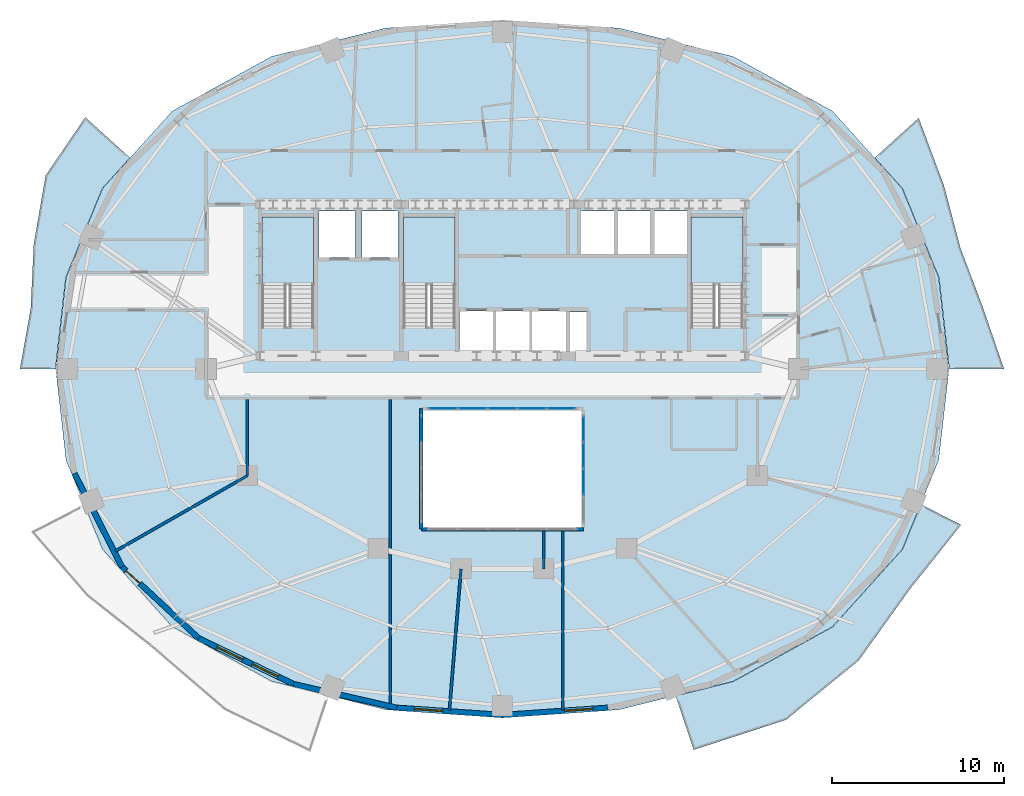
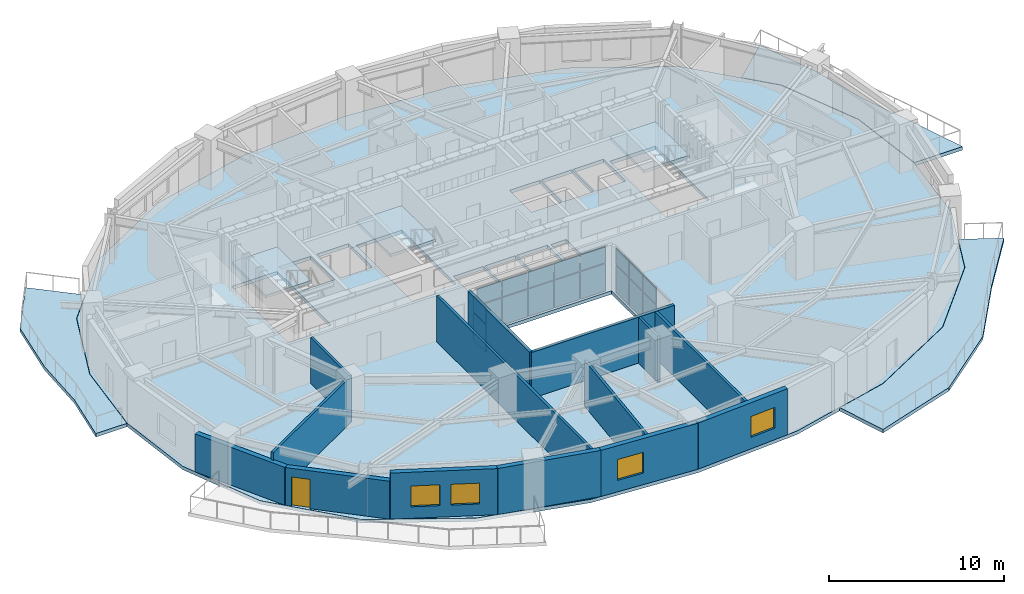
# One storey, part 5 of 13: 18 plates, 14 walls, 7 slabs, 4 windows, 1 door, 5 openings, 6 elements without a shape of their own.
"""IFC4 building model written with IfcOpenShell, lengths in metres."""

from ifc_helpers import new_model, si_unit, direction, frame, frame_2d, origin, origin_2d, place, context, subcontext, project, spatial, polyline, rectangle, outline, extrude, material, layer, layer_set, type_object, element, fill, aggregate, save


model = new_model("IFC4")

# Units and contexts
model_context = context("Model", 3, precision=1e-05, world=origin(), true_north=direction((0.0, 1.0)))
body_context = subcontext(model_context, "Body", "Model", "MODEL_VIEW")
ifc_project = project(units=[si_unit("LENGTHUNIT", "METRE"), si_unit("AREAUNIT", "SQUARE_METRE"), si_unit("VOLUMEUNIT", "CUBIC_METRE"), si_unit("PLANEANGLEUNIT", "RADIAN"), si_unit("MASSUNIT", "GRAM", prefix="KILO")], contexts=[model_context])

# Site, building, storey
site_placement = place(None, origin())
site = spatial("IfcSite", under=ifc_project, at=site_placement, CompositionType="ELEMENT")
building_placement = place(site_placement, origin())
building = spatial("IfcBuilding", under=site, at=building_placement, Name="Haldorwick Loom Tower", CompositionType="ELEMENT")
storey_placement = place(building_placement, frame((0.0, 0.0, 139.10009765625)))
storey = spatial("IfcBuildingStorey", under=building, at=storey_placement, Name="L37", CompositionType="ELEMENT", Elevation=139.10009765625)

# Curtain wall, plates
ifc_material_1 = material(Name="Thermally Broken Anodized Aluminium Curtain Wall Framing", Category="aluminium")
curtain_wall_type = type_object("IfcCurtainWallType", Name="ARC-CW-03", PredefinedType="NOTDEFINED", material=ifc_material_1)
curtain_wall_1_placement = place(storey_placement, origin())
curtain_wall_1 = element("IfcCurtainWall", 1, at=curtain_wall_1_placement, inside=storey, type_object=curtain_wall_type, Name="L37 Atrium Glazed Screen N", PredefinedType="NOTDEFINED")
ifc_material_2 = material(Name="Triple-Glazed Low-E Argon Insulated Glazing Unit", Category="glass")
ifc_layer_1 = layer(ifc_material_2, 0.04296875, Name="Triple-Glazed Low-E Argon Insulated Glazing Unit", Category="glass")
ifc_layer_set_1 = layer_set([ifc_layer_1], Name="Triple-Glazed Low-E Argon Insulated Glazing Unit")
plate_type = type_object("IfcPlateType", Name="ARC-CWP-03", PredefinedType="CURTAIN_PANEL", material=ifc_layer_set_1)
plate_1_placement = place(storey_placement, frame((32.576416015625, 23.699951171875, 0.06591796875), z_axis=(0.0, 0.0, 1.0), x_axis=(1.0, 0.0, 0.0)))
plate_1 = element("IfcPlate", 2, at=plate_1_placement, type_object=plate_type, Name="CW-03 panel 1.1", PredefinedType="CURTAIN_PANEL", context=body_context, shape_type="SweptSolid", body=[
    extrude(rectangle(XDim=1.62109375, YDim=0.04296875, at=origin_2d()), origin(), (0.0, 0.0, 1.0), 1.90087890625),
])
plate_2_placement = place(storey_placement, frame((32.576416015625, 23.699951171875, 2.03271484375), z_axis=(0.0, 0.0, 1.0), x_axis=(1.0, 0.0, 0.0)))
plate_2 = element("IfcPlate", 3, at=plate_2_placement, type_object=plate_type, Name="CW-03 panel 1.2", PredefinedType="CURTAIN_PANEL", context=body_context, shape_type="SweptSolid", body=[
    extrude(rectangle(XDim=1.62109375, YDim=0.04296875, at=origin_2d()), origin(), (0.0, 0.0, 1.0), 1.111083984375),
])
plate_3_placement = place(storey_placement, frame((34.280029296875, 23.699951171875, 0.06591796875), z_axis=(0.0, 0.0, 1.0), x_axis=(1.0, 0.0, 0.0)))
plate_3 = element("IfcPlate", 4, at=plate_3_placement, type_object=plate_type, Name="CW-03 panel 2.1", PredefinedType="CURTAIN_PANEL", context=body_context, shape_type="SweptSolid", body=[
    extrude(rectangle(XDim=1.654052734375, YDim=0.04296875, at=origin_2d()), origin(), (0.0, 0.0, 1.0), 1.90087890625),
])
plate_4_placement = place(storey_placement, frame((34.280029296875, 23.699951171875, 2.03271484375), z_axis=(0.0, 0.0, 1.0), x_axis=(1.0, 0.0, 0.0)))
plate_4 = element("IfcPlate", 5, at=plate_4_placement, type_object=plate_type, Name="CW-03 panel 2.2", PredefinedType="CURTAIN_PANEL", context=body_context, shape_type="SweptSolid", body=[
    extrude(rectangle(XDim=1.654052734375, YDim=0.04296875, at=origin_2d()), origin(), (0.0, 0.0, 1.0), 1.111083984375),
])
plate_5_placement = place(storey_placement, frame((36.0, 23.699951171875, 0.06591796875), z_axis=(0.0, 0.0, 1.0), x_axis=(1.0, 0.0, 0.0)))
plate_5 = element("IfcPlate", 6, at=plate_5_placement, type_object=plate_type, Name="CW-03 panel 3.1", PredefinedType="CURTAIN_PANEL", context=body_context, shape_type="SweptSolid", body=[
    extrude(rectangle(XDim=1.654052734375, YDim=0.04296875, at=origin_2d()), origin(), (0.0, 0.0, 1.0), 1.90087890625),
])
plate_6_placement = place(storey_placement, frame((36.0, 23.699951171875, 2.03271484375), z_axis=(0.0, 0.0, 1.0), x_axis=(1.0, 0.0, 0.0)))
plate_6 = element("IfcPlate", 7, at=plate_6_placement, type_object=plate_type, Name="CW-03 panel 3.2", PredefinedType="CURTAIN_PANEL", context=body_context, shape_type="SweptSolid", body=[
    extrude(rectangle(XDim=1.654052734375, YDim=0.04296875, at=origin_2d()), origin(), (0.0, 0.0, 1.0), 1.111083984375),
])
plate_7_placement = place(storey_placement, frame((37.719970703125, 23.699951171875, 0.06591796875), z_axis=(0.0, 0.0, 1.0), x_axis=(1.0, 0.0, 0.0)))
plate_7 = element("IfcPlate", 8, at=plate_7_placement, type_object=plate_type, Name="CW-03 panel 4.1", PredefinedType="CURTAIN_PANEL", context=body_context, shape_type="SweptSolid", body=[
    extrude(rectangle(XDim=1.654052734375, YDim=0.04296875, at=origin_2d()), origin(), (0.0, 0.0, 1.0), 1.90087890625),
])
plate_8_placement = place(storey_placement, frame((37.719970703125, 23.699951171875, 2.03271484375), z_axis=(0.0, 0.0, 1.0), x_axis=(1.0, 0.0, 0.0)))
plate_8 = element("IfcPlate", 9, at=plate_8_placement, type_object=plate_type, Name="CW-03 panel 4.2", PredefinedType="CURTAIN_PANEL", context=body_context, shape_type="SweptSolid", body=[
    extrude(rectangle(XDim=1.654052734375, YDim=0.04296875, at=origin_2d()), origin(), (0.0, 0.0, 1.0), 1.111083984375),
])
plate_9_placement = place(storey_placement, frame((39.423583984375, 23.699951171875, 0.06591796875), z_axis=(0.0, 0.0, 1.0), x_axis=(1.0, 0.0, 0.0)))
plate_9 = element("IfcPlate", 10, at=plate_9_placement, type_object=plate_type, Name="CW-03 panel 5.1", PredefinedType="CURTAIN_PANEL", context=body_context, shape_type="SweptSolid", body=[
    extrude(rectangle(XDim=1.62109375, YDim=0.04296875, at=origin_2d()), origin(), (0.0, 0.0, 1.0), 1.90087890625),
])
plate_10_placement = place(storey_placement, frame((39.423583984375, 23.699951171875, 2.03271484375), z_axis=(0.0, 0.0, 1.0), x_axis=(1.0, 0.0, 0.0)))
plate_10 = element("IfcPlate", 11, at=plate_10_placement, type_object=plate_type, Name="CW-03 panel 5.2", PredefinedType="CURTAIN_PANEL", context=body_context, shape_type="SweptSolid", body=[
    extrude(rectangle(XDim=1.62109375, YDim=0.04296875, at=origin_2d()), origin(), (0.0, 0.0, 1.0), 1.111083984375),
])
aggregate(curtain_wall_1, [plate_1, plate_2, plate_3, plate_4, plate_5, plate_6, plate_7, plate_8, plate_9, plate_10])

curtain_wall_2_placement = place(storey_placement, origin())
curtain_wall_2 = element("IfcCurtainWall", 12, at=curtain_wall_2_placement, inside=storey, type_object=curtain_wall_type, Name="L37 Atrium Glazed Screen W", PredefinedType="NOTDEFINED")
plate_11_placement = place(storey_placement, frame((31.300048828125, 22.508544921875, 0.06591796875), z_axis=(0.0, 0.0, 1.0), x_axis=(0.0, 1.0, 0.0)))
plate_11 = element("IfcPlate", 13, at=plate_11_placement, type_object=plate_type, Name="CW-03 panel 4.1", PredefinedType="CURTAIN_PANEL", context=body_context, shape_type="SweptSolid", body=[
    extrude(rectangle(XDim=1.450927734375, YDim=0.04296875, at=origin_2d()), origin(), (0.0, 0.0, 1.0), 1.90087890625),
])
plate_12_placement = place(storey_placement, frame((31.300048828125, 22.508544921875, 2.03271484375), z_axis=(0.0, 0.0, 1.0), x_axis=(0.0, 1.0, 0.0)))
plate_12 = element("IfcPlate", 14, at=plate_12_placement, type_object=plate_type, Name="CW-03 panel 4.2", PredefinedType="CURTAIN_PANEL", context=body_context, shape_type="SweptSolid", body=[
    extrude(rectangle(XDim=1.450927734375, YDim=0.04296875, at=origin_2d()), origin(), (0.0, 0.0, 1.0), 1.111083984375),
])
aggregate(curtain_wall_2, [plate_11, plate_12])

curtain_wall_3_placement = place(storey_placement, origin())
curtain_wall_3 = element("IfcCurtainWall", 15, at=curtain_wall_3_placement, inside=storey, type_object=curtain_wall_type, Name="L37 Atrium Glazed Screen E", PredefinedType="NOTDEFINED")
plate_13_placement = place(storey_placement, frame((40.699951171875, 22.508544921875, 0.06591796875), z_axis=(0.0, 0.0, 1.0), x_axis=(0.0, -1.0, 0.0)))
plate_13 = element("IfcPlate", 16, at=plate_13_placement, type_object=plate_type, Name="CW-03 panel 1.1", PredefinedType="CURTAIN_PANEL", context=body_context, shape_type="SweptSolid", body=[
    extrude(rectangle(XDim=1.450927734375, YDim=0.04296875, at=origin_2d()), origin(), (0.0, 0.0, 1.0), 1.90087890625),
])
plate_14_placement = place(storey_placement, frame((40.699951171875, 22.508544921875, 2.03271484375), z_axis=(0.0, 0.0, 1.0), x_axis=(0.0, -1.0, 0.0)))
plate_14 = element("IfcPlate", 17, at=plate_14_placement, type_object=plate_type, Name="CW-03 panel 1.2", PredefinedType="CURTAIN_PANEL", context=body_context, shape_type="SweptSolid", body=[
    extrude(rectangle(XDim=1.450927734375, YDim=0.04296875, at=origin_2d()), origin(), (0.0, 0.0, 1.0), 1.111083984375),
])
plate_15_placement = place(storey_placement, frame((40.699951171875, 20.97509765625, 0.06591796875), z_axis=(0.0, 0.0, 1.0), x_axis=(0.0, -1.0, 0.0)))
plate_15 = element("IfcPlate", 18, at=plate_15_placement, type_object=plate_type, Name="CW-03 panel 2.1", PredefinedType="CURTAIN_PANEL", context=body_context, shape_type="SweptSolid", body=[
    extrude(rectangle(XDim=1.48388671875, YDim=0.04296875, at=origin_2d()), origin(), (0.0, 0.0, 1.0), 1.90087890625),
])
plate_16_placement = place(storey_placement, frame((40.699951171875, 20.97509765625, 2.03271484375), z_axis=(0.0, 0.0, 1.0), x_axis=(0.0, -1.0, 0.0)))
plate_16 = element("IfcPlate", 19, at=plate_16_placement, type_object=plate_type, Name="CW-03 panel 2.2", PredefinedType="CURTAIN_PANEL", context=body_context, shape_type="SweptSolid", body=[
    extrude(rectangle(XDim=1.48388671875, YDim=0.04296875, at=origin_2d()), origin(), (0.0, 0.0, 1.0), 1.111083984375),
])
plate_17_placement = place(storey_placement, frame((40.699951171875, 19.425048828125, 0.06591796875), z_axis=(0.0, 0.0, 1.0), x_axis=(0.0, -1.0, 0.0)))
plate_17 = element("IfcPlate", 20, at=plate_17_placement, type_object=plate_type, Name="CW-03 panel 3.1", PredefinedType="CURTAIN_PANEL", context=body_context, shape_type="SweptSolid", body=[
    extrude(rectangle(XDim=1.48388671875, YDim=0.04296875, at=origin_2d()), origin(), (0.0, 0.0, 1.0), 1.90087890625),
])
plate_18_placement = place(storey_placement, frame((40.699951171875, 19.425048828125, 2.03271484375), z_axis=(0.0, 0.0, 1.0), x_axis=(0.0, -1.0, 0.0)))
plate_18 = element("IfcPlate", 21, at=plate_18_placement, type_object=plate_type, Name="CW-03 panel 3.2", PredefinedType="CURTAIN_PANEL", context=body_context, shape_type="SweptSolid", body=[
    extrude(rectangle(XDim=1.48388671875, YDim=0.04296875, at=origin_2d()), origin(), (0.0, 0.0, 1.0), 1.111083984375),
])
aggregate(curtain_wall_3, [plate_13, plate_14, plate_15, plate_16, plate_17, plate_18])

# Slabs
ifc_material_3 = material(Name="Concrete C40 (40 MPa)", Category="concrete")
ifc_layer_2 = layer(ifc_material_3, 0.239990234375, Name="Concrete C40 (40 MPa)", Category="concrete")
ifc_layer_set_2 = layer_set([ifc_layer_2], Name="Concrete C40 (40 MPa)")
slab_type_1 = type_object("IfcSlabType", Name="STR-SLB-BAL240", PredefinedType="FLOOR", material=ifc_layer_set_2)
slab_1_placement = place(storey_placement, frame((0.0, 0.0, -0.239990234375)))
element("IfcSlab", 22, at=slab_1_placement, inside=storey, type_object=slab_type_1, Name="L37 Sinusoidal Balcony Terrace BAL_SE", PredefinedType="FLOOR", context=body_context, shape_type="SweptSolid", body=[
    extrude(outline(polyline([(60.284423828125, 18.14208984375), (59.216064453125, 15.530517578125), (59.21533203125, 15.529296875), (59.21484375, 15.528076171875), (59.214111328125, 15.527099609375), (59.213134765625, 15.526123046875), (55.16162109375, 11.031005859375), (55.16064453125, 11.02978515625), (55.1591796875, 11.028564453125), (55.15771484375, 11.02783203125), (49.40283203125, 7.863037109375), (49.40185546875, 7.8623046875), (49.400634765625, 7.86181640625), (49.3994140625, 7.861572265625), (46.05908203125, 7.027587890625), (47.103515625, 3.901123046875), (52.455322265625, 5.6396484375), (56.677978515625, 9.08544921875), (59.65380859375, 13.228271484375), (62.6103515625, 16.9501953125), (60.284423828125, 18.14208984375)])), origin(), (0.0, 0.0, 1.0), 0.239990234375),
])
slab_2_placement = place(storey_placement, frame((0.0, 0.0, -0.239990234375)))
element("IfcSlab", 23, at=slab_2_placement, inside=storey, type_object=slab_type_1, Name="L37 Sinusoidal Balcony Terrace BAL_WNW", PredefinedType="FLOOR", context=body_context, shape_type="SweptSolid", body=[
    extrude(outline(polyline([(10.068115234375, 26.0), (10.068115234375, 26.001708984375), (10.669677734375, 31.30029296875), (10.669921875, 31.3017578125), (10.670166015625, 31.302978515625), (10.670654296875, 31.30419921875), (12.783935546875, 36.469482421875), (12.78466796875, 36.470703125), (12.78515625, 36.4716796875), (12.785888671875, 36.472900390625), (12.786865234375, 36.473876953125), (14.390380859375, 38.25341796875), (11.7998046875, 40.59716796875), (9.505615234375, 37.237060546875), (8.81103515625, 33.25048828125), (8.63427734375, 29.5166015625), (8.011474609375, 26.0), (10.068115234375, 26.0)])), origin(), (0.0, 0.0, 1.0), 0.239990234375),
])
slab_3_placement = place(storey_placement, frame((0.0, 0.0, -0.239990234375)))
element("IfcSlab", 24, at=slab_3_placement, inside=storey, type_object=slab_type_1, Name="L37 Sinusoidal Balcony Terrace BAL_ENE", PredefinedType="FLOOR", context=body_context, shape_type="SweptSolid", body=[
    extrude(outline(polyline([(57.609619140625, 38.25341796875), (59.213134765625, 36.473876953125), (59.214111328125, 36.472900390625), (59.21484375, 36.4716796875), (59.21533203125, 36.470703125), (59.216064453125, 36.469482421875), (61.329345703125, 31.30419921875), (61.329833984375, 31.302978515625), (61.330078125, 31.3017578125), (61.330322265625, 31.30029296875), (61.931884765625, 26.001708984375), (61.931884765625, 26.0), (65.10546875, 26.0), (63.86279296875, 29.617431640625), (62.582763671875, 32.998291015625), (61.61376953125, 36.66259765625), (60.1552734375, 40.55517578125), (57.609619140625, 38.25341796875)])), origin(), (0.0, 0.0, 1.0), 0.239990234375),
])

# Stair, slab
stair_type = type_object("IfcStairType", Name="STR-STR-CORE", PredefinedType="HALF_TURN_STAIR", material=ifc_material_3)
stair_1_placement = place(storey_placement, origin())
stair_1 = element("IfcStair", 25, at=stair_1_placement, inside=storey, type_object=stair_type, Name="L37 Exit Stair ST-01", PredefinedType="HALF_TURN_STAIR")
ifc_layer_3 = layer(ifc_material_3, 0.199951171875, Name="Concrete C40 (40 MPa)", Category="concrete")
ifc_layer_set_3 = layer_set([ifc_layer_3], Name="Concrete C40 (40 MPa)")
slab_type_2 = type_object("IfcSlabType", Name="STR-SLB-LAND200", PredefinedType="LANDING", material=ifc_layer_set_3)
slab_4_placement = place(storey_placement, frame((0.0, 0.0, 1.52490234375)))
slab_4 = element("IfcSlab", 26, at=slab_4_placement, type_object=slab_type_2, Name="ST-01 landing 1", PredefinedType="LANDING", context=body_context, shape_type="SweptSolid", body=[
    extrude(outline(polyline([(25.050048828125, 30.919921875), (25.050048828125, 34.800048828125), (22.050048828125, 34.800048828125), (22.050048828125, 30.919921875), (25.050048828125, 30.919921875)])), origin(), (0.0, 0.0, 1.0), 0.199951171875),
])
aggregate(stair_1, [slab_4])

stair_2_placement = place(storey_placement, origin())
stair_2 = element("IfcStair", 27, at=stair_2_placement, inside=storey, type_object=stair_type, Name="L37 Exit Stair ST-02", PredefinedType="HALF_TURN_STAIR")
slab_5_placement = place(storey_placement, frame((0.0, 0.0, 1.52490234375)))
slab_5 = element("IfcSlab", 28, at=slab_5_placement, type_object=slab_type_2, Name="ST-02 landing 1", PredefinedType="LANDING", context=body_context, shape_type="SweptSolid", body=[
    extrude(outline(polyline([(49.949951171875, 30.919921875), (49.949951171875, 34.800048828125), (46.949951171875, 34.800048828125), (46.949951171875, 30.919921875), (49.949951171875, 30.919921875)])), origin(), (0.0, 0.0, 1.0), 0.199951171875),
])
aggregate(stair_2, [slab_5])

stair_3_placement = place(storey_placement, origin())
stair_3 = element("IfcStair", 29, at=stair_3_placement, inside=storey, type_object=stair_type, Name="L37 Exit Stair ST-03", PredefinedType="HALF_TURN_STAIR")
slab_6_placement = place(storey_placement, frame((0.0, 0.0, 1.52490234375)))
slab_6 = element("IfcSlab", 30, at=slab_6_placement, type_object=slab_type_2, Name="ST-03 landing 1", PredefinedType="LANDING", context=body_context, shape_type="SweptSolid", body=[
    extrude(outline(polyline([(33.25, 30.919921875), (33.25, 34.800048828125), (30.25, 34.800048828125), (30.25, 30.919921875), (33.25, 30.919921875)])), origin(), (0.0, 0.0, 1.0), 0.199951171875),
])
aggregate(stair_3, [slab_6])

# Slab
ifc_layer_4 = layer(ifc_material_3, 0.239990234375, Name="Concrete C40 (40 MPa)", Category="concrete")
ifc_layer_set_4 = layer_set([ifc_layer_4], Name="Concrete C40 (40 MPa)")
slab_type_3 = type_object("IfcSlabType", Name="STR-SLB-RES240", PredefinedType="FLOOR", material=ifc_layer_set_4)
slab_7_placement = place(storey_placement, frame((0.0, 0.0, -0.239990234375)))
element("IfcSlab", 31, at=slab_7_placement, inside=storey, type_object=slab_type_3, Name="L37 Residential Structural Floor Slab", PredefinedType="FLOOR", context=body_context, shape_type="SweptSolid", body=[
    extrude(outline(polyline([(55.150634765625, 11.041015625), (59.2021484375, 15.5361328125), (61.3154296875, 20.701416015625), (61.9169921875, 26.0), (61.3154296875, 31.298583984375), (59.2021484375, 36.4638671875), (55.150634765625, 40.958984375), (49.395751953125, 44.123779296875), (42.783203125, 45.774658203125), (36.0, 46.24462890625), (29.216796875, 45.774658203125), (22.604248046875, 44.123779296875), (16.849365234375, 40.958984375), (12.7978515625, 36.4638671875), (10.6845703125, 31.298583984375), (10.0830078125, 26.0), (10.6845703125, 20.701416015625), (12.7978515625, 15.5361328125), (16.849365234375, 11.041015625), (22.604248046875, 7.876220703125), (29.216796875, 6.225341796875), (36.0, 5.75537109375), (42.783203125, 6.225341796875), (49.395751953125, 7.876220703125), (55.150634765625, 11.041015625)]), holes=[polyline([(31.39990234375, 16.800048828125), (31.39990234375, 23.60009765625), (40.60009765625, 23.60009765625), (40.60009765625, 16.800048828125), (31.39990234375, 16.800048828125)]), polyline([(33.5, 26.85009765625), (33.5, 29.35009765625), (35.5, 29.35009765625), (35.5, 26.85009765625), (33.5, 26.85009765625)]), polyline([(35.60009765625, 26.85009765625), (35.60009765625, 29.35009765625), (37.60009765625, 29.35009765625), (37.60009765625, 26.85009765625), (35.60009765625, 26.85009765625)]), polyline([(23.6201171875, 28.39990234375), (22.050048828125, 28.39990234375), (22.050048828125, 34.800048828125), (25.050048828125, 34.800048828125), (25.050048828125, 28.639892578125), (23.6201171875, 28.639892578125), (23.6201171875, 28.39990234375)]), polyline([(30.25, 28.39990234375), (30.25, 34.800048828125), (33.25, 34.800048828125), (33.25, 28.639892578125), (31.820068359375, 28.639892578125), (31.820068359375, 28.39990234375), (30.25, 28.39990234375)]), polyline([(25.35009765625, 32.449951171875), (25.35009765625, 35.14990234375), (27.449951171875, 35.14990234375), (27.449951171875, 32.449951171875), (25.35009765625, 32.449951171875)]), polyline([(29.949951171875, 32.449951171875), (27.85009765625, 32.449951171875), (27.85009765625, 35.14990234375), (29.949951171875, 35.14990234375), (29.949951171875, 32.449951171875)]), polyline([(37.699951171875, 26.85009765625), (37.699951171875, 29.35009765625), (39.699951171875, 29.35009765625), (39.699951171875, 26.85009765625), (37.699951171875, 26.85009765625)]), polyline([(39.89990234375, 26.89990234375), (39.89990234375, 29.300048828125), (40.89990234375, 29.300048828125), (40.89990234375, 26.89990234375), (39.89990234375, 26.89990234375)]), polyline([(46.949951171875, 28.39990234375), (46.949951171875, 34.800048828125), (49.949951171875, 34.800048828125), (49.949951171875, 28.639892578125), (48.52001953125, 28.639892578125), (48.52001953125, 28.39990234375), (46.949951171875, 28.39990234375)]), polyline([(40.550048828125, 32.64990234375), (40.550048828125, 35.14990234375), (42.550048828125, 35.14990234375), (42.550048828125, 32.64990234375), (40.550048828125, 32.64990234375)]), polyline([(42.64990234375, 32.64990234375), (42.64990234375, 35.14990234375), (44.64990234375, 35.14990234375), (44.64990234375, 32.64990234375), (42.64990234375, 32.64990234375)]), polyline([(44.75, 32.64990234375), (44.75, 35.14990234375), (46.75, 35.14990234375), (46.75, 32.64990234375), (44.75, 32.64990234375)])]), origin(), (0.0, 0.0, 1.0), 0.239990234375),
])

# Wall
ifc_material_4 = material(Name="Pressed Clay Face Brick and Insulated Masonry Backup Assembly", Category="masonry")
ifc_layer_5 = layer(ifc_material_4, 0.320068359375, Name="Pressed Clay Face Brick and Insulated Masonry Backup Assembly", Category="masonry")
ifc_layer_set_5 = layer_set([ifc_layer_5], Name="Pressed Clay Face Brick and Insulated Masonry Backup Assembly")
wall_type_1 = type_object("IfcWallType", Name="ARC-WL-EXT320", PredefinedType="STANDARD", material=ifc_layer_set_5)
wall_1_placement = place(storey_placement, frame((11.1650390625, 19.944580078125, 0.0), z_axis=(0.0, 0.0, 1.0), x_axis=(0.453172129629, -0.89142303141, 0.0)))
element("IfcWall", 32, at=wall_1_placement, inside=storey, type_object=wall_type_1, Name="L37 Brick Pier and Spandrel Wall 14", PredefinedType="STANDARD", context=body_context, shape_type="SweptSolid", body=[
    extrude(rectangle(XDim=6.086669921875, YDim=0.320068359375, at=frame_2d((3.04345703125, 0.0))), origin(), (0.0, 0.0, 1.0), 2.640869140625),
])

# Wall, opening, door
wall_2_placement = place(storey_placement, frame((13.92333984375, 14.518798828125, 0.0), z_axis=(0.0, 0.0, 1.0), x_axis=(0.732001571644, -0.681302942244, 0.0)))
wall_2 = element("IfcWall", 33, at=wall_2_placement, inside=storey, type_object=wall_type_1, Name="L37 Brick Pier and Spandrel Wall 15", PredefinedType="STANDARD", context=body_context, shape_type="SweptSolid", body=[
    extrude(rectangle(XDim=6.0869140625, YDim=0.320068359375, at=frame_2d((3.04345703125, 0.0))), origin(), (0.0, 0.0, 1.0), 2.640869140625),
])
opening_1_placement = place(wall_2_placement, frame((0.340087890625, 0.0, 0.0)))
opening_1 = element("IfcOpeningElement", 34, at=opening_1_placement, cuts=wall_2, Name="Opening D-BL11", PredefinedType="OPENING", context=body_context, shape_type="SweptSolid", body=[
    extrude(rectangle(XDim=1.080078125, YDim=2.0400390625, at=frame_2d((0.5400390625, 1.02001953125))), frame((0.0, 0.169921875, 0.0), z_axis=(0.0, -1.0, 0.0), x_axis=(1.0, 0.0, 0.0)), (0.0, 0.0, 1.0), 0.340087890625),
])
door_type = type_object("IfcDoorType", Name="ARC-DR-BAL110", OperationType="NOTDEFINED", PredefinedType="DOOR", material=ifc_material_1)
door_placement = place(opening_1_placement, origin())
door = element("IfcDoor", 35, at=door_placement, inside=storey, type_object=door_type, Name="L37 Outdoor Terrace Door SLB-L37-BAL_SW", OperationType="SINGLE_SWING_LEFT", OverallHeight=2.0400390625, OverallWidth=1.080078125, PredefinedType="DOOR", context=body_context, shape_type="SweptSolid", body=[
    extrude(rectangle(XDim=1.080078125, YDim=2.0400390625, at=frame_2d((0.5400390625, 1.02001953125))), frame((0.0, 0.02490234375, 0.0), z_axis=(0.0, -1.0, 0.0), x_axis=(1.0, 0.0, 0.0)), (0.0, 0.0, 1.0), 0.050048828125),
])
fill(opening_1, door)

# Wall, openings, windows
wall_3_placement = place(storey_placement, frame((18.37890625, 10.371826171875, 0.0), z_axis=(0.0, 0.0, 1.0), x_axis=(0.900472429216, -0.43491309962, 0.0)))
wall_3 = element("IfcWall", 36, at=wall_3_placement, inside=storey, type_object=wall_type_1, Name="L37 Brick Pier and Spandrel Wall 16", PredefinedType="STANDARD", context=body_context, shape_type="SweptSolid", body=[
    extrude(rectangle(XDim=6.1181640625, YDim=0.320068359375, at=frame_2d((3.05908203125, 0.0))), origin(), (0.0, 0.0, 1.0), 3.2099609375),
])
opening_2_placement = place(wall_3_placement, frame((1.181884765625, 0.0, 0.800048828125)))
opening_2 = element("IfcOpeningElement", 37, at=opening_2_placement, cuts=wall_3, Name="Opening W-01B", PredefinedType="OPENING", context=body_context, shape_type="SweptSolid", body=[
    extrude(rectangle(XDim=1.64990234375, YDim=1.449951171875, at=frame_2d((0.824951171875, 0.72509765625))), frame((0.0, 0.169921875, 0.0), z_axis=(0.0, -1.0, 0.0), x_axis=(1.0, 0.0, 0.0)), (0.0, 0.0, 1.0), 0.340087890625),
])
opening_3_placement = place(wall_3_placement, frame((3.4580078125, 0.0, 0.800048828125)))
opening_3 = element("IfcOpeningElement", 38, at=opening_3_placement, cuts=wall_3, Name="Opening W-01B", PredefinedType="OPENING", context=body_context, shape_type="SweptSolid", body=[
    extrude(rectangle(XDim=1.64990234375, YDim=1.449951171875, at=frame_2d((0.824951171875, 0.72509765625))), frame((0.0, 0.169921875, 0.0), z_axis=(0.0, -1.0, 0.0), x_axis=(1.0, 0.0, 0.0)), (0.0, 0.0, 1.0), 0.340087890625),
])
window_type = type_object("IfcWindowType", Name="ARC-WIN-W165", PartitioningType="SINGLE_PANEL", PredefinedType="WINDOW", material=ifc_material_2)
window_1_placement = place(opening_2_placement, origin())
window_1 = element("IfcWindow", 39, at=window_1_placement, inside=storey, type_object=window_type, Name="L37 Deep-Set Zone 7A Window 16", OverallHeight=1.449951171875, OverallWidth=1.64990234375, PartitioningType="SINGLE_PANEL", PredefinedType="WINDOW", context=body_context, shape_type="SweptSolid", body=[
    extrude(rectangle(XDim=1.64990234375, YDim=1.449951171875, at=frame_2d((0.824951171875, 0.72509765625))), frame((0.0, 0.030029296875, 0.0), z_axis=(0.0, -1.0, 0.0), x_axis=(1.0, 0.0, 0.0)), (0.0, 0.0, 1.0), 0.06005859375),
])
fill(opening_2, window_1)
window_2_placement = place(opening_3_placement, origin())
window_2 = element("IfcWindow", 40, at=window_2_placement, inside=storey, type_object=window_type, Name="L37 Deep-Set Zone 7A Window 16", OverallHeight=1.449951171875, OverallWidth=1.64990234375, PartitioningType="SINGLE_PANEL", PredefinedType="WINDOW", context=body_context, shape_type="SweptSolid", body=[
    extrude(rectangle(XDim=1.64990234375, YDim=1.449951171875, at=frame_2d((0.824951171875, 0.72509765625))), frame((0.0, 0.030029296875, 0.0), z_axis=(0.0, -1.0, 0.0), x_axis=(1.0, 0.0, 0.0)), (0.0, 0.0, 1.0), 0.06005859375),
])
fill(opening_3, window_2)

# Wall
wall_4_placement = place(storey_placement, frame((23.88818359375, 7.7109375, 0.0), z_axis=(0.0, 0.0, 1.0), x_axis=(0.974593223547, -0.223982250674, 0.0)))
element("IfcWall", 41, at=wall_4_placement, inside=storey, type_object=wall_type_1, Name="L37 Brick Pier and Spandrel Wall 17", PredefinedType="STANDARD", context=body_context, shape_type="SweptSolid", body=[
    extrude(rectangle(XDim=6.138916015625, YDim=0.320068359375, at=frame_2d((3.0693359375, 0.0))), origin(), (0.0, 0.0, 1.0), 3.2099609375),
])

# Wall, opening, window
wall_5_placement = place(storey_placement, frame((29.87109375, 6.3359375, 0.0), z_axis=(0.0, 0.0, 1.0), x_axis=(0.997652942988, -0.068473391522, 0.0)))
wall_5 = element("IfcWall", 42, at=wall_5_placement, inside=storey, type_object=wall_type_1, Name="L37 Brick Pier and Spandrel Wall 18", PredefinedType="STANDARD", context=body_context, shape_type="SweptSolid", body=[
    extrude(rectangle(XDim=6.143310546875, YDim=0.320068359375, at=frame_2d((3.07177734375, 0.0))), origin(), (0.0, 0.0, 1.0), 3.2099609375),
])
opening_4_placement = place(wall_5_placement, frame((1.01806640625, 0.0, 0.800048828125)))
opening_4 = element("IfcOpeningElement", 43, at=opening_4_placement, cuts=wall_5, Name="Opening W-01B", PredefinedType="OPENING", context=body_context, shape_type="SweptSolid", body=[
    extrude(rectangle(XDim=1.64990234375, YDim=1.449951171875, at=frame_2d((0.824951171875, 0.72509765625))), frame((0.0, 0.169921875, 0.0), z_axis=(0.0, -1.0, 0.0), x_axis=(1.0, 0.0, 0.0)), (0.0, 0.0, 1.0), 0.340087890625),
])
window_3_placement = place(opening_4_placement, origin())
window_3 = element("IfcWindow", 44, at=window_3_placement, inside=storey, type_object=window_type, Name="L37 Deep-Set Zone 7A Window 18", OverallHeight=1.449951171875, OverallWidth=1.64990234375, PartitioningType="SINGLE_PANEL", PredefinedType="WINDOW", context=body_context, shape_type="SweptSolid", body=[
    extrude(rectangle(XDim=1.64990234375, YDim=1.449951171875, at=frame_2d((0.824951171875, 0.72509765625))), frame((0.0, 0.030029296875, 0.0), z_axis=(0.0, -1.0, 0.0), x_axis=(1.0, 0.0, 0.0)), (0.0, 0.0, 1.0), 0.06005859375),
])
fill(opening_4, window_3)

wall_6_placement = place(storey_placement, frame((36.0, 5.915283203125, 0.0), z_axis=(0.0, 0.0, 1.0), x_axis=(0.997652942988, 0.068473391522, 0.0)))
wall_6 = element("IfcWall", 45, at=wall_6_placement, inside=storey, type_object=wall_type_1, Name="L37 Brick Pier and Spandrel Wall 19", PredefinedType="STANDARD", context=body_context, shape_type="SweptSolid", body=[
    extrude(rectangle(XDim=6.143310546875, YDim=0.320068359375, at=frame_2d((3.07177734375, 0.0))), origin(), (0.0, 0.0, 1.0), 3.2099609375),
])
opening_5_placement = place(wall_6_placement, frame((3.6171875, 0.0, 0.800048828125)))
opening_5 = element("IfcOpeningElement", 46, at=opening_5_placement, cuts=wall_6, Name="Opening W-01B", PredefinedType="OPENING", context=body_context, shape_type="SweptSolid", body=[
    extrude(rectangle(XDim=1.64990234375, YDim=1.449951171875, at=frame_2d((0.824951171875, 0.72509765625))), frame((0.0, 0.169921875, 0.0), z_axis=(0.0, -1.0, 0.0), x_axis=(1.0, 0.0, 0.0)), (0.0, 0.0, 1.0), 0.340087890625),
])
window_4_placement = place(opening_5_placement, origin())
window_4 = element("IfcWindow", 47, at=window_4_placement, inside=storey, type_object=window_type, Name="L37 Deep-Set Zone 7A Window 19", OverallHeight=1.449951171875, OverallWidth=1.64990234375, PartitioningType="SINGLE_PANEL", PredefinedType="WINDOW", context=body_context, shape_type="SweptSolid", body=[
    extrude(rectangle(XDim=1.64990234375, YDim=1.449951171875, at=frame_2d((0.824951171875, 0.72509765625))), frame((0.0, 0.030029296875, 0.0), z_axis=(0.0, -1.0, 0.0), x_axis=(1.0, 0.0, 0.0)), (0.0, 0.0, 1.0), 0.06005859375),
])
fill(opening_5, window_4)

# Walls
ifc_material_5 = material(Name="Fire-Rated Type X Gypsum Stud Assembly EI 60")
ifc_layer_6 = layer(ifc_material_5, 0.159912109375, Name="Fire-Rated Type X Gypsum Stud Assembly EI 60")
ifc_layer_set_6 = layer_set([ifc_layer_6], Name="Fire-Rated Type X Gypsum Stud Assembly EI 60")
wall_type_2 = type_object("IfcWallType", Name="ARC-WL-FIRE160", PredefinedType="PARTITIONING", material=ifc_layer_set_6)
wall_7_placement = place(storey_placement, frame((33.60009765625, 14.39990234375, 0.0), z_axis=(0.0, 0.0, 1.0), x_axis=(-0.081755025594, -0.996652454866, 0.0)))
element("IfcWall", 48, at=wall_7_placement, inside=storey, type_object=wall_type_2, Name="L37 Residential Fire Partition L37-ICR-08", PredefinedType="PARTITIONING", context=body_context, shape_type="SweptSolid", body=[
    extrude(rectangle(XDim=8.236083984375, YDim=0.159912109375, at=frame_2d((4.1181640625, 0.0))), origin(), (0.0, 0.0, 1.0), 3.19482421875),
])
wall_8_placement = place(storey_placement, frame((21.199951171875, 19.800048828125, 0.0), z_axis=(0.0, 0.0, 1.0), x_axis=(-0.868375898677, -0.495906542201, 0.0)))
element("IfcWall", 49, at=wall_8_placement, inside=storey, type_object=wall_type_2, Name="L37 Residential Fire Partition L37-ICR-11", PredefinedType="PARTITIONING", context=body_context, shape_type="SweptSolid", body=[
    extrude(rectangle(XDim=8.8251953125, YDim=0.159912109375, at=frame_2d((4.41259765625, 0.0))), origin(), (0.0, 0.0, 1.0), 3.19482421875),
])
wall_9_placement = place(storey_placement, frame((29.5, 6.488037109375, 0.0), z_axis=(0.0, 0.0, 1.0), x_axis=(0.0, 1.0, 0.0)))
element("IfcWall", 50, at=wall_9_placement, inside=storey, type_object=wall_type_2, Name="L37 Residential Fire Partition L37-SBP-0", PredefinedType="PARTITIONING", context=body_context, shape_type="SweptSolid", body=[
    extrude(rectangle(XDim=17.72900390625, YDim=0.159912109375, at=frame_2d((8.864501953125, 0.0))), origin(), (0.0, 0.0, 1.0), 3.19482421875),
])
wall_10_placement = place(storey_placement, frame((39.5, 6.220703125, 0.0), z_axis=(0.0, 0.0, 1.0), x_axis=(0.0, 1.0, 0.0)))
element("IfcWall", 51, at=wall_10_placement, inside=storey, type_object=wall_type_2, Name="L37 Residential Fire Partition L37-SBP-1", PredefinedType="PARTITIONING", context=body_context, shape_type="SweptSolid", body=[
    extrude(rectangle(XDim=10.376220703125, YDim=0.159912109375, at=frame_2d((5.18798828125, 0.0))), origin(), (0.0, 0.0, 1.0), 3.19482421875),
])
wall_11_placement = place(storey_placement, frame((38.39990234375, 16.596923828125, 0.0), z_axis=(0.0, 0.0, 1.0), x_axis=(0.0, -1.0, 0.0)))
element("IfcWall", 52, at=wall_11_placement, inside=storey, type_object=wall_type_2, Name="L37 Residential Fire Partition L37-ICA-06", PredefinedType="PARTITIONING", context=body_context, shape_type="SweptSolid", body=[
    extrude(rectangle(XDim=2.197021484375, YDim=0.159912109375, at=frame_2d((1.0986328125, 0.0))), origin(), (0.0, 0.0, 1.0), 3.19482421875),
])
wall_12_placement = place(storey_placement, frame((21.199951171875, 24.217041015625, 0.0), z_axis=(0.0, 0.0, 1.0), x_axis=(0.0, -1.0, 0.0)))
element("IfcWall", 53, at=wall_12_placement, inside=storey, type_object=wall_type_2, Name="L37 Residential Fire Partition L37-ICA-10", PredefinedType="PARTITIONING", context=body_context, shape_type="SweptSolid", body=[
    extrude(rectangle(XDim=4.4169921875, YDim=0.159912109375, at=frame_2d((2.20849609375, 0.0))), origin(), (0.0, 0.0, 1.0), 3.19482421875),
])
ifc_material_6 = material(Name="Fire-Rated Type X Gypsum Stud Assembly EI 120")
ifc_layer_7 = layer(ifc_material_6, 0.199951171875, Name="Fire-Rated Type X Gypsum Stud Assembly EI 120")
ifc_layer_set_7 = layer_set([ifc_layer_7], Name="Fire-Rated Type X Gypsum Stud Assembly EI 120")
wall_type_3 = type_object("IfcWallType", Name="ARC-WL-FIRE200", PredefinedType="PARTITIONING", material=ifc_layer_set_7)
wall_13_placement = place(storey_placement, frame((40.699951171875, 16.699951171875, 0.0), z_axis=(0.0, 0.0, 1.0), x_axis=(-1.0, 0.0, 0.0)))
element("IfcWall", 54, at=wall_13_placement, inside=storey, type_object=wall_type_3, Name="L37 Atrium Fire Enclosure Wall S", PredefinedType="PARTITIONING", context=body_context, shape_type="SweptSolid", body=[
    extrude(rectangle(XDim=9.39990234375, YDim=0.199951171875, at=frame_2d((4.699951171875, 0.0))), origin(), (0.0, 0.0, 1.0), 3.19482421875),
])
wall_14_placement = place(storey_placement, frame((31.300048828125, 16.699951171875, 0.0), z_axis=(0.0, 0.0, 1.0), x_axis=(0.0, 1.0, 0.0)))
element("IfcWall", 55, at=wall_14_placement, inside=storey, type_object=wall_type_3, Name="L37 Atrium Fire Enclosure Wall W", PredefinedType="PARTITIONING", context=body_context, shape_type="SweptSolid", body=[
    extrude(rectangle(XDim=7.0, YDim=0.199951171875, at=frame_2d((3.5, 0.0))), origin(), (0.0, 0.0, 1.0), 3.19482421875),
])

save(model, "model.ifc")
